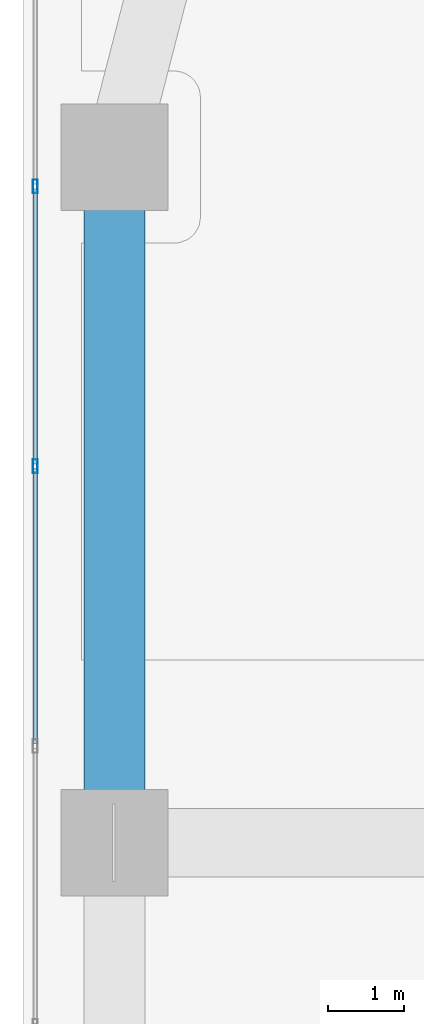
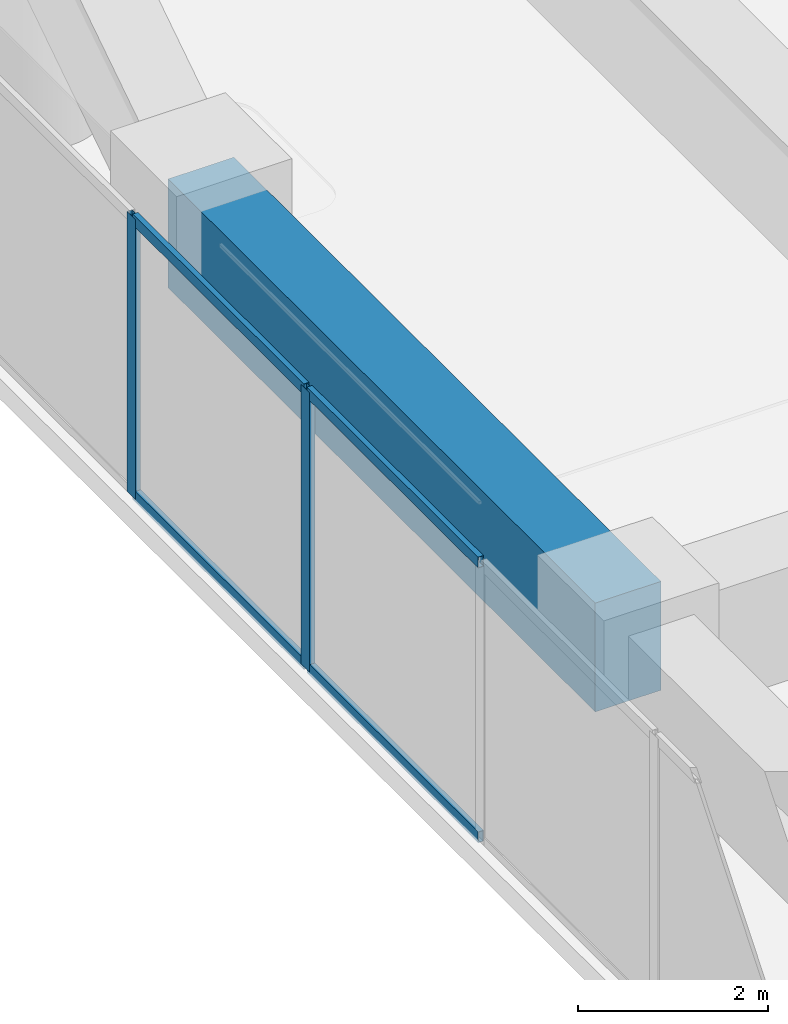
# One storey, part 9 of 25: 6 members, 1 beam, 1 element without a shape of its own.
"""IFC4 building model written with IfcOpenShell, lengths in metres."""

from ifc_helpers import new_model, si_unit, direction, frame, origin, origin_2d, place, context, subcontext, project, spatial, rectangle, hollow_rectangle, extrude, material, layer, layer_set, material_profile, profile_set, type_object, element, aggregate, save


model = new_model("IFC4")

# Units and contexts
model_context = context("Model", 3, precision=1e-05, world=origin(), true_north=direction((0.0, 1.0)))
body_context = subcontext(model_context, "Body", "Model", "MODEL_VIEW")
ifc_project = project(units=[si_unit("LENGTHUNIT", "METRE"), si_unit("AREAUNIT", "SQUARE_METRE"), si_unit("VOLUMEUNIT", "CUBIC_METRE"), si_unit("PLANEANGLEUNIT", "RADIAN"), si_unit("MASSUNIT", "GRAM", prefix="KILO")], contexts=[model_context])

# Site, building, storey
site_placement = place(None, origin())
site = spatial("IfcSite", under=ifc_project, at=site_placement, CompositionType="ELEMENT")
building_placement = place(site_placement, origin())
building = spatial("IfcBuilding", under=site, at=building_placement, Name="Kiyonajd Concourse Tower", CompositionType="ELEMENT")
storey_placement = place(building_placement, frame((0.0, 0.0, 141.60009765625)))
storey = spatial("IfcBuildingStorey", under=building, at=storey_placement, Name="L36", CompositionType="ELEMENT", Elevation=141.60009765625)

# Beam
ifc_material_1 = material(Name="Concrete C60/75", Category="concrete")
ifc_material_profile_1 = material_profile(ifc_material_1, rectangle(XDim=0.800048828125, YDim=1.39990234375, at=origin_2d()), Name="RCBM-800x1400")
ifc_profile_set_1 = profile_set([ifc_material_profile_1], Name="Concrete C60/75")
beam_type = type_object("IfcBeamType", Name="BM-XFER-RC", PredefinedType="BEAM", material=ifc_profile_set_1)
beam_placement = place(storey_placement, frame((19.199951171875, 53.39990234375, 2.89990234375), z_axis=(0.0, -1.0, 0.0), x_axis=(1.0, 0.0, 0.0)))
element("IfcBeam", 1, at=beam_placement, inside=storey, type_object=beam_type, Name="L36 Perimeter Bundled Tube Spandrel", PredefinedType="BEAM", context=body_context, shape_type="SweptSolid", body=[
    extrude(rectangle(XDim=0.800048828125, YDim=1.39990234375, at=origin_2d()), origin(), (0.0, 0.0, 1.0), 9.0),
])

# Curtain wall, members
ifc_material_2 = material(Name="Thermally Broken Anodised Aluminium", Category="aluminium")
ifc_layer = layer(ifc_material_2, 0.179931640625)
ifc_layer_set = layer_set([ifc_layer], Name="Thermally Broken Anodised Aluminium")
curtain_wall_type = type_object("IfcCurtainWallType", Name="CW-SYS-03", PredefinedType="NOTDEFINED", material=ifc_layer_set)
curtain_wall_placement = place(storey_placement, origin())
curtain_wall = element("IfcCurtainWall", 2, at=curtain_wall_placement, inside=storey, type_object=curtain_wall_type, Name="L36 Unitised Curtain Wall CW3", PredefinedType="NOTDEFINED")
ifc_material_profile_2 = material_profile(ifc_material_2, hollow_rectangle(XDim=0.06494140625, YDim=0.179931640625, WallThickness=0.00390625, at=origin_2d()), Name="MULL-65x180")
ifc_profile_set_2 = profile_set([ifc_material_profile_2], Name="Thermally Broken Anodised Aluminium")
member_type_1 = type_object("IfcMemberType", Name="MB-CW-MULL1", PredefinedType="MULLION", material=ifc_profile_set_2)
member_1_placement = place(storey_placement, frame((18.159912109375, 49.342529296875, 0.0), z_axis=(0.0, 0.0, 1.0), x_axis=(-1.0, 0.0, 0.0)))
member_1 = element("IfcMember", 3, at=member_1_placement, type_object=member_type_1, Name="CW3 mullion 5", PredefinedType="MULLION", context=body_context, shape_type="SweptSolid", body=[
    extrude(hollow_rectangle(XDim=0.06494140625, YDim=0.179931640625, WallThickness=0.00390625, at=origin_2d()), origin(), (0.0, 0.0, 1.0), 3.599853515625),
])
member_2_placement = place(storey_placement, frame((18.159912109375, 53.015869140625, 0.0), z_axis=(0.0, 0.0, 1.0), x_axis=(-1.0, 0.0, 0.0)))
member_2 = element("IfcMember", 4, at=member_2_placement, type_object=member_type_1, Name="CW3 mullion 6", PredefinedType="MULLION", context=body_context, shape_type="SweptSolid", body=[
    extrude(hollow_rectangle(XDim=0.06494140625, YDim=0.179931640625, WallThickness=0.00390625, at=origin_2d()), origin(), (0.0, 0.0, 1.0), 3.599853515625),
])
ifc_material_profile_3 = material_profile(ifc_material_2, hollow_rectangle(XDim=0.06494140625, YDim=0.139892578125, WallThickness=0.00390625, at=origin_2d()), Name="TRAN-65x140")
ifc_profile_set_3 = profile_set([ifc_material_profile_3], Name="Thermally Broken Anodised Aluminium")
member_type_2 = type_object("IfcMemberType", Name="MB-CW-TRAN1", PredefinedType="USERDEFINED", material=ifc_profile_set_3)
member_3_placement = place(storey_placement, frame((18.159912109375, 45.701904296875, 0.032470703125), z_axis=(0.0, 1.0, 0.0), x_axis=(-1.0, 0.0, 0.0)))
member_3 = element("IfcMember", 5, at=member_3_placement, type_object=member_type_2, Name="CW3 transom 4.1", ObjectType="TRANSOM", PredefinedType="USERDEFINED", context=body_context, shape_type="SweptSolid", body=[
    extrude(hollow_rectangle(XDim=0.06494140625, YDim=0.139892578125, WallThickness=0.00390625, at=origin_2d()), origin(), (0.0, 0.0, 1.0), 3.608154296875),
])
member_4_placement = place(storey_placement, frame((18.159912109375, 45.701904296875, 3.5673828125), z_axis=(0.0, 1.0, 0.0), x_axis=(-1.0, 0.0, 0.0)))
member_4 = element("IfcMember", 6, at=member_4_placement, type_object=member_type_2, Name="CW3 transom 4.2", ObjectType="TRANSOM", PredefinedType="USERDEFINED", context=body_context, shape_type="SweptSolid", body=[
    extrude(hollow_rectangle(XDim=0.06494140625, YDim=0.139892578125, WallThickness=0.00390625, at=origin_2d()), origin(), (0.0, 0.0, 1.0), 3.608154296875),
])
member_5_placement = place(storey_placement, frame((18.159912109375, 49.375, 0.032470703125), z_axis=(0.0, 1.0, 0.0), x_axis=(-1.0, 0.0, 0.0)))
member_5 = element("IfcMember", 7, at=member_5_placement, type_object=member_type_2, Name="CW3 transom 5.1", ObjectType="TRANSOM", PredefinedType="USERDEFINED", context=body_context, shape_type="SweptSolid", body=[
    extrude(hollow_rectangle(XDim=0.06494140625, YDim=0.139892578125, WallThickness=0.00390625, at=origin_2d()), origin(), (0.0, 0.0, 1.0), 3.608154296875),
])
member_6_placement = place(storey_placement, frame((18.159912109375, 49.375, 3.5673828125), z_axis=(0.0, 1.0, 0.0), x_axis=(-1.0, 0.0, 0.0)))
member_6 = element("IfcMember", 8, at=member_6_placement, type_object=member_type_2, Name="CW3 transom 5.2", ObjectType="TRANSOM", PredefinedType="USERDEFINED", context=body_context, shape_type="SweptSolid", body=[
    extrude(hollow_rectangle(XDim=0.06494140625, YDim=0.139892578125, WallThickness=0.00390625, at=origin_2d()), origin(), (0.0, 0.0, 1.0), 3.608154296875),
])
aggregate(curtain_wall, [member_1, member_2, member_3, member_4, member_5, member_6])

save(model, "model.ifc")
